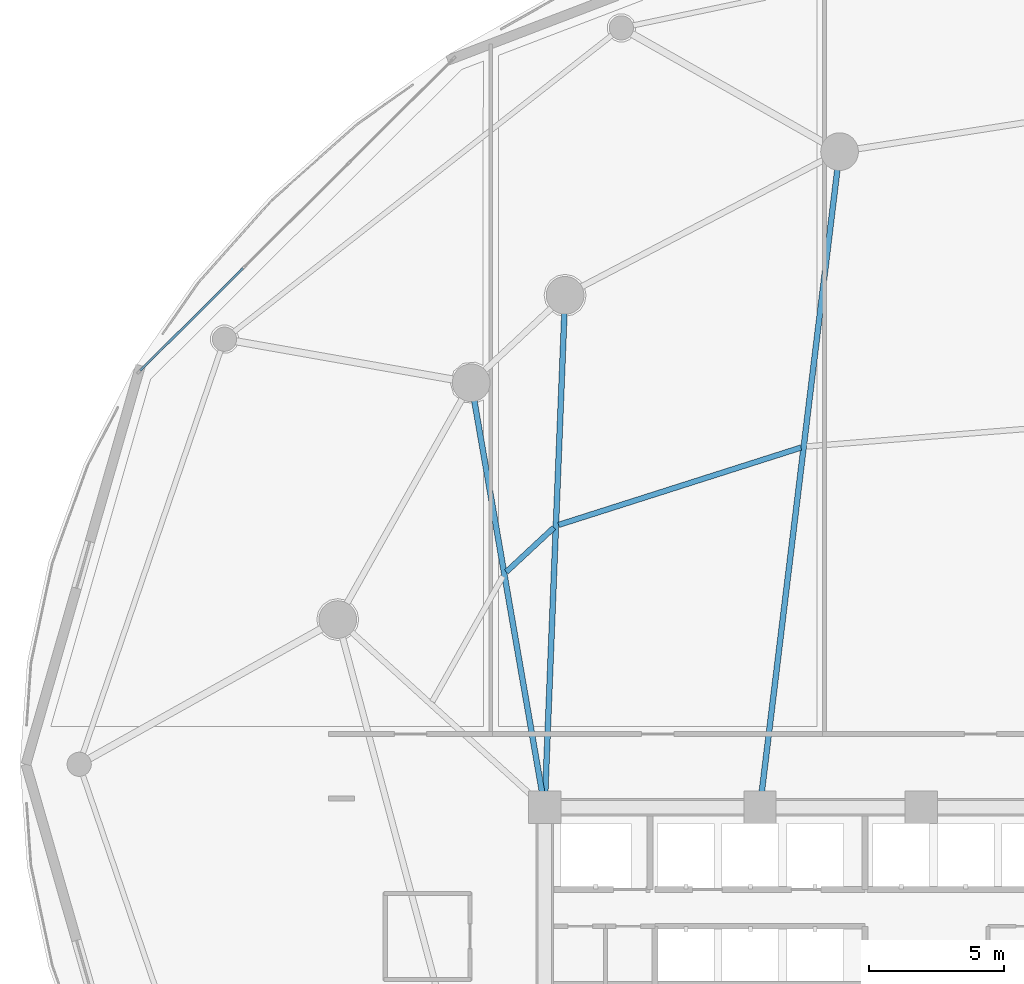
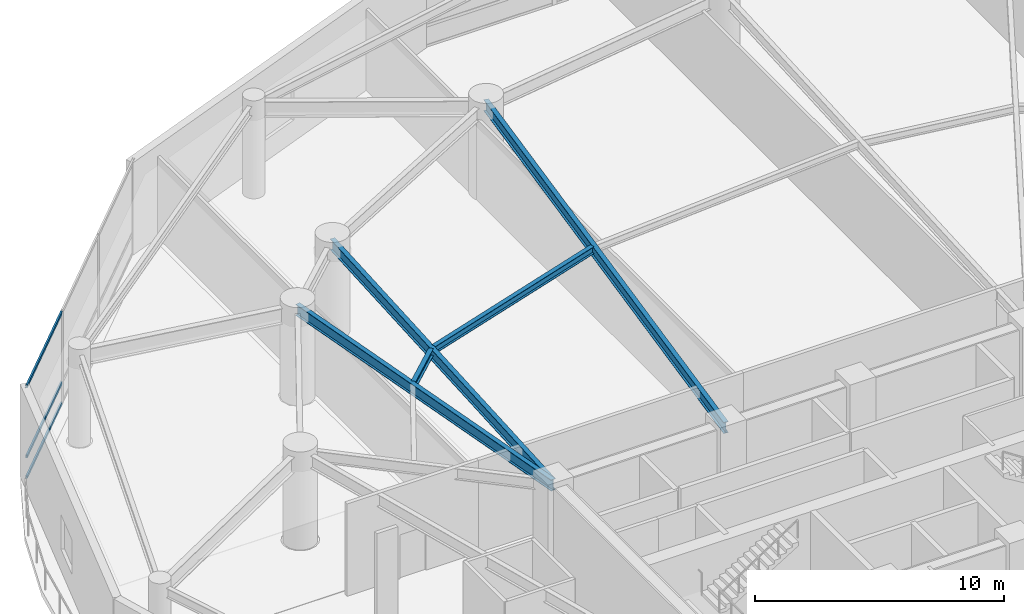
# One storey, part 7 of 40: 5 beams, 3 members, 1 element without a shape of its own.
"""IFC4 building model written with IfcOpenShell, lengths in metres."""

from ifc_helpers import new_model, si_unit, direction, frame, origin, origin_2d, place, context, subcontext, project, spatial, hollow_rectangle, i_section, extrude, material, layer, layer_set, material_profile, profile_set, type_object, element, aggregate, save


model = new_model("IFC4")

# Units and contexts
model_context = context("Model", 3, precision=1e-05, world=origin(), true_north=direction((0.0, 1.0)))
body_context = subcontext(model_context, "Body", "Model", "MODEL_VIEW")
ifc_project = project(units=[si_unit("LENGTHUNIT", "METRE"), si_unit("AREAUNIT", "SQUARE_METRE"), si_unit("VOLUMEUNIT", "CUBIC_METRE"), si_unit("PLANEANGLEUNIT", "RADIAN"), si_unit("MASSUNIT", "GRAM", prefix="KILO")], contexts=[model_context])

# Site, building, storey
site_placement = place(None, origin())
site = spatial("IfcSite", under=ifc_project, at=site_placement, CompositionType="ELEMENT")
building_placement = place(site_placement, origin())
building = spatial("IfcBuilding", under=site, at=building_placement, Name="Kazevale Care Tower and Concert Hall", CompositionType="ELEMENT")
storey_placement = place(building_placement, frame((0.0, 0.0, 9.60009765625)))
storey = spatial("IfcBuildingStorey", under=building, at=storey_placement, Name="L02", CompositionType="ELEMENT", Elevation=9.60009765625)

# Curtain wall, members
ifc_material_1 = material(Name="Aluminium 6063-T6 and Low-E Glass", Category="aluminium")
ifc_layer = layer(ifc_material_1, 0.179931640625)
ifc_layer_set = layer_set([ifc_layer], Name="Aluminium 6063-T6 and Low-E Glass")
curtain_wall_type = type_object("IfcCurtainWallType", Name="Podium Double-Skin Medical Curtain Wall CW-1", PredefinedType="NOTDEFINED", material=ifc_layer_set)
curtain_wall_placement = place(storey_placement, origin())
curtain_wall = element("IfcCurtainWall", 1, at=curtain_wall_placement, inside=storey, type_object=curtain_wall_type, Name="cw:L02:pod:06", PredefinedType="NOTDEFINED")
ifc_material_2 = material(Name="Aluminium 6063-T6", Category="aluminium")
ifc_material_profile_1 = material_profile(ifc_material_2, hollow_rectangle(XDim=0.080078125, YDim=0.139892578125, WallThickness=0.00390625, at=origin_2d()), Name="ALU80x140x4")
ifc_profile_set_1 = profile_set([ifc_material_profile_1], Name="Aluminium 6063-T6")
member_type = type_object("IfcMemberType", Name="CW-1 Transom ALU80x140x4", PredefinedType="USERDEFINED", material=ifc_profile_set_1)
member_1_placement = place(storey_placement, frame((10.785888671875, 56.432861328125, 0.039794921875), z_axis=(-0.708578901075, -0.705631590103, 0.0), x_axis=(0.705631590103, -0.708578901075, 0.0)))
member_1 = element("IfcMember", 2, at=member_1_placement, type_object=member_type, Name="CW-1 transom 3.1", ObjectType="TRANSOM", PredefinedType="USERDEFINED", context=body_context, shape_type="SweptSolid", body=[
    extrude(hollow_rectangle(XDim=0.080078125, YDim=0.139892578125, WallThickness=0.00390625, at=origin_2d()), origin(), (0.0, 0.0, 1.0), 5.38427734375),
])
member_2_placement = place(storey_placement, frame((10.785888671875, 56.432861328125, 1.0498046875), z_axis=(-0.708578901075, -0.705631590103, 0.0), x_axis=(0.705631590103, -0.708578901075, 0.0)))
member_2 = element("IfcMember", 3, at=member_2_placement, type_object=member_type, Name="CW-1 transom 3.2", ObjectType="TRANSOM", PredefinedType="USERDEFINED", context=body_context, shape_type="SweptSolid", body=[
    extrude(hollow_rectangle(XDim=0.080078125, YDim=0.139892578125, WallThickness=0.00390625, at=origin_2d()), origin(), (0.0, 0.0, 1.0), 5.38427734375),
])
member_3_placement = place(storey_placement, frame((10.785888671875, 56.432861328125, 4.47998046875), z_axis=(-0.708578901075, -0.705631590103, 0.0), x_axis=(0.705631590103, -0.708578901075, 0.0)))
member_3 = element("IfcMember", 4, at=member_3_placement, type_object=member_type, Name="CW-1 transom 3.3", ObjectType="TRANSOM", PredefinedType="USERDEFINED", context=body_context, shape_type="SweptSolid", body=[
    extrude(hollow_rectangle(XDim=0.080078125, YDim=0.139892578125, WallThickness=0.00390625, at=origin_2d()), origin(), (0.0, 0.0, 1.0), 5.38427734375),
])
aggregate(curtain_wall, [member_1, member_2, member_3])

# Beams
ifc_material_3 = material(Name="Steel ASTM A572 Gr 50", Category="steel")
ifc_material_profile_2 = material_profile(ifc_material_3, i_section(OverallWidth=0.2119140625, OverallDepth=0.5439453125, WebThickness=0.01318359375, FlangeThickness=0.021240234375, at=origin_2d()), Name="W530x123")
ifc_profile_set_2 = profile_set([ifc_material_profile_2], Name="Steel ASTM A572 Gr 50")
beam_type_1 = type_object("IfcBeamType", Name="Radial Floor Girder W530x123", PredefinedType="BEAM", material=ifc_profile_set_2)
beam_1_placement = place(storey_placement, frame((30.0, 36.39990234375, 4.247802734375), z_axis=(0.120572526662, 0.9927045209, 0.0), x_axis=(-0.9927045209, 0.120572526662, 0.0)))
element("IfcBeam", 5, at=beam_1_placement, inside=storey, type_object=beam_type_1, Name="beam:L02:rad:06", PredefinedType="BEAM", context=body_context, shape_type="SweptSolid", body=[
    extrude(i_section(OverallWidth=0.2119140625, OverallDepth=0.5439453125, WebThickness=0.01318359375, FlangeThickness=0.021240234375, at=origin_2d()), origin(), (0.0, 0.0, 1.0), 24.54931640625),
])
beam_2_placement = place(storey_placement, frame((22.0, 36.39990234375, 4.247802734375), z_axis=(0.039905581428, 0.999203455044, 0.0), x_axis=(-0.999203455044, 0.039905581428, 0.0)))
element("IfcBeam", 6, at=beam_2_placement, inside=storey, type_object=beam_type_1, Name="beam:L02:rad:07", PredefinedType="BEAM", context=body_context, shape_type="SweptSolid", body=[
    extrude(i_section(OverallWidth=0.2119140625, OverallDepth=0.5439453125, WebThickness=0.01318359375, FlangeThickness=0.021240234375, at=origin_2d()), origin(), (0.0, 0.0, 1.0), 19.045166015625),
])
beam_3_placement = place(storey_placement, frame((22.0, 36.39990234375, 4.247802734375), z_axis=(-0.170469986865, 0.985362868987, 0.0), x_axis=(-0.985362868987, -0.170469986865, 0.0)))
element("IfcBeam", 7, at=beam_3_placement, inside=storey, type_object=beam_type_1, Name="beam:L02:rad:08", PredefinedType="BEAM", context=body_context, shape_type="SweptSolid", body=[
    extrude(i_section(OverallWidth=0.2119140625, OverallDepth=0.5439453125, WebThickness=0.01318359375, FlangeThickness=0.021240234375, at=origin_2d()), origin(), (0.0, 0.0, 1.0), 16.014404296875),
])
ifc_material_profile_3 = material_profile(ifc_material_3, i_section(OverallWidth=0.205078125, OverallDepth=0.35400390625, WebThickness=0.009521484375, FlangeThickness=0.016845703125, at=origin_2d()), Name="W360x79")
ifc_profile_set_3 = profile_set([ifc_material_profile_3], Name="Steel ASTM A572 Gr 50")
beam_type_2 = type_object("IfcBeamType", Name="Secondary Floor Joist W360x79", PredefinedType="JOIST", material=ifc_profile_set_3)
beam_4_placement = place(storey_placement, frame((31.528076171875, 49.77197265625, 4.343017578125), z_axis=(-0.9527054955, -0.303895111584, 0.0), x_axis=(0.303895111584, -0.9527054955, 0.0)))
element("IfcBeam", 8, at=beam_4_placement, inside=storey, type_object=beam_type_2, Name="beam:L02:joist:06", PredefinedType="JOIST", context=body_context, shape_type="SweptSolid", body=[
    extrude(i_section(OverallWidth=0.205078125, OverallDepth=0.35400390625, WebThickness=0.009521484375, FlangeThickness=0.016845703125, at=origin_2d()), origin(), (0.0, 0.0, 1.0), 9.457275390625),
])
beam_5_placement = place(storey_placement, frame((22.341064453125, 46.794921875, 4.343017578125), z_axis=(-0.73194965424, -0.68135871878, 0.0), x_axis=(0.68135871878, -0.73194965424, 0.0)))
element("IfcBeam", 9, at=beam_5_placement, inside=storey, type_object=beam_type_2, Name="beam:L02:joist:07", PredefinedType="JOIST", context=body_context, shape_type="SweptSolid", body=[
    extrude(i_section(OverallWidth=0.205078125, OverallDepth=0.35400390625, WebThickness=0.009521484375, FlangeThickness=0.016845703125, at=origin_2d()), origin(), (0.0, 0.0, 1.0), 2.412841796875),
])

save(model, "model.ifc")
